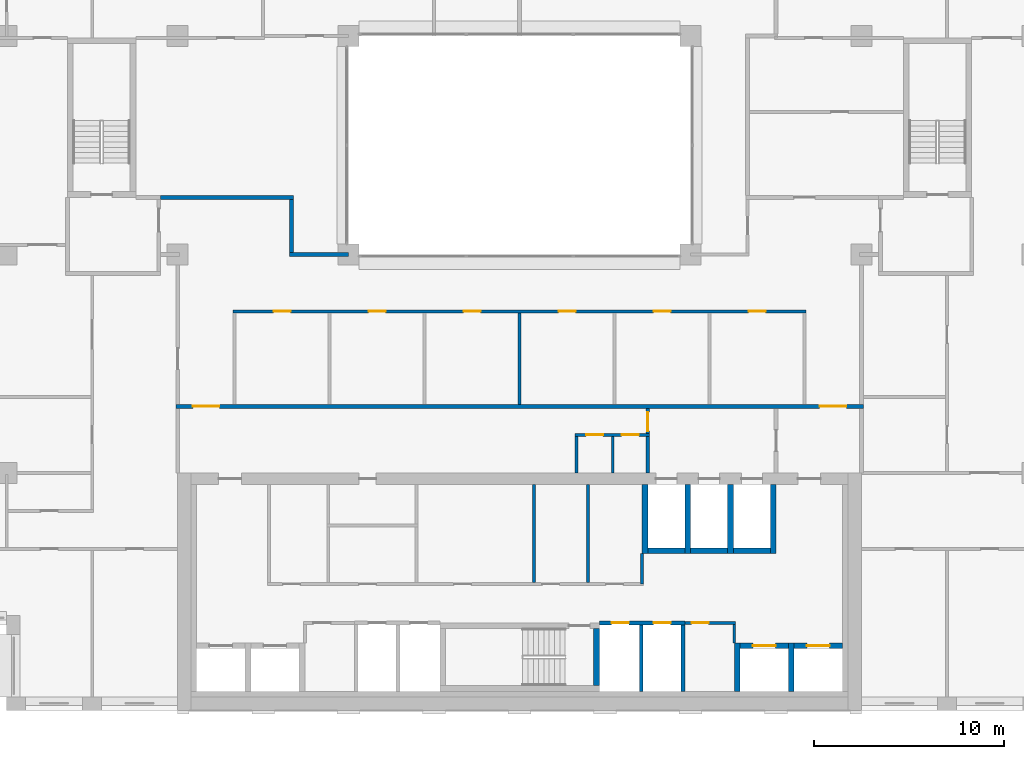
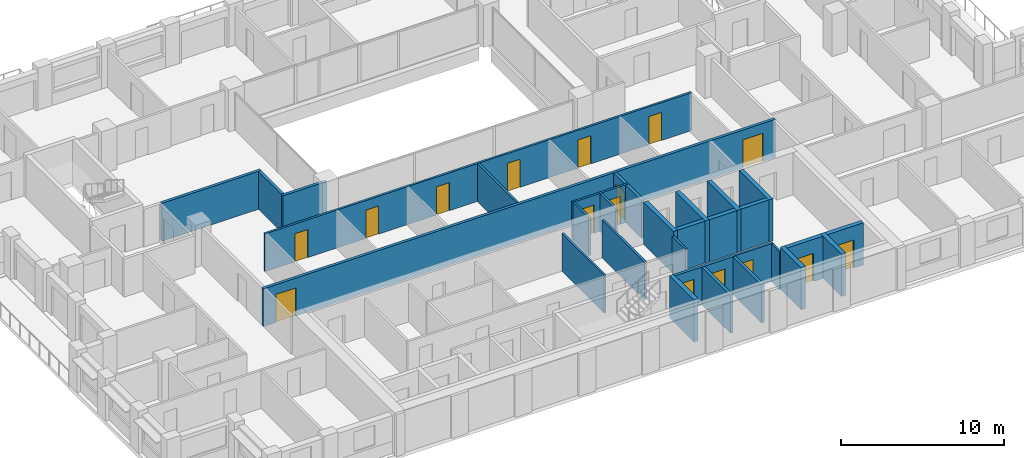
# One storey, part 10 of 16: 31 walls, 16 doors, 16 openings.
"""IFC4 building model written with IfcOpenShell, lengths in metres."""

from ifc_helpers import new_model, si_unit, direction, frame, frame_2d, origin, place, context, subcontext, project, spatial, rectangle, extrude, material, layer, layer_set, type_object, element, fill, save


model = new_model("IFC4")

# Units and contexts
model_context = context("Model", 3, precision=1e-05, world=origin(), true_north=direction((0.0, 1.0)))
body_context = subcontext(model_context, "Body", "Model", "MODEL_VIEW")
ifc_project = project(units=[si_unit("LENGTHUNIT", "METRE"), si_unit("AREAUNIT", "SQUARE_METRE"), si_unit("VOLUMEUNIT", "CUBIC_METRE"), si_unit("PLANEANGLEUNIT", "RADIAN"), si_unit("MASSUNIT", "GRAM", prefix="KILO")], contexts=[model_context])

# Site, building, storey
site_placement = place(None, origin())
site = spatial("IfcSite", under=ifc_project, at=site_placement, CompositionType="ELEMENT")
building_placement = place(site_placement, origin())
building = spatial("IfcBuilding", under=site, at=building_placement, Name="Brigalow Station Residences", CompositionType="ELEMENT")
storey_placement = place(building_placement, frame((0.0, 0.0, 166.5)))
storey = spatial("IfcBuildingStorey", under=building, at=storey_placement, Name="L48", CompositionType="ELEMENT", Elevation=166.5)

# Walls
ifc_material_1 = material(Name="Concrete C65", Category="concrete")
ifc_layer_1 = layer(ifc_material_1, 0.300048828125)
ifc_layer_set_1 = layer_set([ifc_layer_1], Name="CORE SHEAR WALL 300 C65")
wall_type_1 = type_object("IfcWallType", Name="CORE SHEAR WALL 300 C65", PredefinedType="SHEAR", material=ifc_layer_set_1)
wall_1_placement = place(storey_placement, frame((42.75, 8.39990234375, 0.0), z_axis=(0.0, 0.0, 1.0), x_axis=(1.0, 0.0, 0.0)))
element("IfcWall", 1, at=wall_1_placement, inside=storey, type_object=wall_type_1, Name="CORE WALL SH-FF1-S L48", PredefinedType="SHEAR", context=body_context, shape_type="SweptSolid", body=[
    extrude(rectangle(XDim=1.949951171875, YDim=0.300048828125, at=frame_2d((0.97509765625, 0.0))), origin(), (0.0, 0.0, 1.0), 3.14990234375),
])
wall_2_placement = place(storey_placement, frame((42.60009765625, 8.25, 0.0), z_axis=(0.0, 0.0, 1.0), x_axis=(0.0, 1.0, 0.0)))
element("IfcWall", 2, at=wall_2_placement, inside=storey, type_object=wall_type_1, Name="CORE WALL SH-FF1-W L48", PredefinedType="SHEAR", context=body_context, shape_type="SweptSolid", body=[
    extrude(rectangle(XDim=3.64990234375, YDim=0.300048828125, at=frame_2d((1.824951171875, 0.0))), origin(), (0.0, 0.0, 1.0), 3.14990234375),
])
wall_3_placement = place(storey_placement, frame((45.0, 8.39990234375, 0.0), z_axis=(0.0, 0.0, 1.0), x_axis=(1.0, 0.0, 0.0)))
element("IfcWall", 3, at=wall_3_placement, inside=storey, type_object=wall_type_1, Name="CORE WALL SH-FF2-S L48", PredefinedType="SHEAR", context=body_context, shape_type="SweptSolid", body=[
    extrude(rectangle(XDim=1.949951171875, YDim=0.300048828125, at=frame_2d((0.97509765625, 0.0))), origin(), (0.0, 0.0, 1.0), 3.14990234375),
])
wall_4_placement = place(storey_placement, frame((44.85009765625, 8.25, 0.0), z_axis=(0.0, 0.0, 1.0), x_axis=(0.0, 1.0, 0.0)))
element("IfcWall", 4, at=wall_4_placement, inside=storey, type_object=wall_type_1, Name="CORE WALL SH-FF2-W L48", PredefinedType="SHEAR", context=body_context, shape_type="SweptSolid", body=[
    extrude(rectangle(XDim=3.64990234375, YDim=0.300048828125, at=frame_2d((1.824951171875, 0.0))), origin(), (0.0, 0.0, 1.0), 3.14990234375),
])
wall_5_placement = place(storey_placement, frame((47.25, 8.39990234375, 0.0), z_axis=(0.0, 0.0, 1.0), x_axis=(1.0, 0.0, 0.0)))
element("IfcWall", 5, at=wall_5_placement, inside=storey, type_object=wall_type_1, Name="CORE WALL SH-SL1-S L48", PredefinedType="SHEAR", context=body_context, shape_type="SweptSolid", body=[
    extrude(rectangle(XDim=1.949951171875, YDim=0.300048828125, at=frame_2d((0.97509765625, 0.0))), origin(), (0.0, 0.0, 1.0), 3.14990234375),
])
for number, where, z_axis, x_axis, name in (
    (6, (47.10009765625, 8.25, 0.0), (0.0, 0.0, 1.0), (0.0, 1.0, 0.0), "CORE WALL SH-SL1-W L48"),
    (7, (49.35009765625, 8.25, 0.0), (0.0, 0.0, 1.0), (0.0, 1.0, 0.0), "CORE WALL SH-SL1-E L48"),
):
    element("IfcWall", number, at=place(storey_placement, frame(where, z_axis=z_axis, x_axis=x_axis)), inside=storey, type_object=wall_type_1, Name=name, PredefinedType="SHEAR", context=body_context, shape_type="SweptSolid", body=[
        extrude(rectangle(XDim=3.64990234375, YDim=0.300048828125, at=frame_2d((1.824951171875, 0.0))), origin(), (0.0, 0.0, 1.0), 3.14990234375),
    ])

# Wall, opening, door
wall_6_placement = place(storey_placement, frame((47.60009765625, 3.39990234375, 0.0), z_axis=(0.0, 0.0, 1.0), x_axis=(1.0, 0.0, 0.0)))
wall_6 = element("IfcWall", 8, at=wall_6_placement, inside=storey, type_object=wall_type_1, Name="CORE WALL SH-C3-N L48", PredefinedType="SHEAR", context=body_context, shape_type="SweptSolid", body=[
    extrude(rectangle(XDim=2.5498046875, YDim=0.300048828125, at=frame_2d((1.27490234375, 0.0))), origin(), (0.0, 0.0, 1.0), 3.14990234375),
])
opening_1_placement = place(wall_6_placement, frame((0.675048828125, 0.0, 0.0)))
opening_1 = element("IfcOpeningElement", 9, at=opening_1_placement, cuts=wall_6, Name="Opening LD-LB3", PredefinedType="OPENING", context=body_context, shape_type="SweptSolid", body=[
    extrude(rectangle(XDim=1.199951171875, YDim=2.10009765625, at=frame_2d((0.60009765625, 1.050048828125))), frame((0.0, 0.16015625, 0.0), z_axis=(0.0, -1.0, 0.0), x_axis=(1.0, 0.0, 0.0)), (0.0, 0.0, 1.0), 0.320068359375),
])
ifc_material_2 = material(Name="Stainless steel sliding door leaves", Category="steel")
door_type_1 = type_object("IfcDoorType", Name="LIFT LANDING DOOR 1200 x 2100", OperationType="DOUBLE_DOOR_SLIDING", PredefinedType="DOOR", material=ifc_material_2)
door_1_placement = place(opening_1_placement, origin())
door_1 = element("IfcDoor", 10, at=door_1_placement, inside=storey, type_object=door_type_1, Name="LANDING DOOR LB3", OperationType="DOUBLE_DOOR_SLIDING", OverallHeight=2.10009765625, OverallWidth=1.199951171875, PredefinedType="DOOR", context=body_context, shape_type="SweptSolid", body=[
    extrude(rectangle(XDim=1.199951171875, YDim=2.10009765625, at=frame_2d((0.60009765625, 1.050048828125))), frame((0.0, 0.02490234375, 0.0), z_axis=(0.0, -1.0, 0.0), x_axis=(1.0, 0.0, 0.0)), (0.0, 0.0, 1.0), 0.050048828125),
])
fill(opening_1, door_1)

# Wall
wall_7_placement = place(storey_placement, frame((47.449951171875, 1.0, 0.0), z_axis=(0.0, 0.0, 1.0), x_axis=(0.0, 1.0, 0.0)))
element("IfcWall", 11, at=wall_7_placement, inside=storey, type_object=wall_type_1, Name="CORE WALL SH-C3-W L48", PredefinedType="SHEAR", context=body_context, shape_type="SweptSolid", body=[
    extrude(rectangle(XDim=2.550048828125, YDim=0.300048828125, at=frame_2d((1.27490234375, 0.0))), origin(), (0.0, 0.0, 1.0), 3.14990234375),
])

# Wall, opening, door
wall_8_placement = place(storey_placement, frame((50.449951171875, 3.39990234375, 0.0), z_axis=(0.0, 0.0, 1.0), x_axis=(1.0, 0.0, 0.0)))
wall_8 = element("IfcWall", 12, at=wall_8_placement, inside=storey, type_object=wall_type_1, Name="CORE WALL SH-C4-N L48", PredefinedType="SHEAR", context=body_context, shape_type="SweptSolid", body=[
    extrude(rectangle(XDim=2.550048828125, YDim=0.300048828125, at=frame_2d((1.27490234375, 0.0))), origin(), (0.0, 0.0, 1.0), 3.14990234375),
])
opening_2_placement = place(wall_8_placement, frame((0.675048828125, 0.0, 0.0)))
opening_2 = element("IfcOpeningElement", 13, at=opening_2_placement, cuts=wall_8, Name="Opening LD-LB4", PredefinedType="OPENING", context=body_context, shape_type="SweptSolid", body=[
    extrude(rectangle(XDim=1.199951171875, YDim=2.10009765625, at=frame_2d((0.60009765625, 1.050048828125))), frame((0.0, 0.16015625, 0.0), z_axis=(0.0, -1.0, 0.0), x_axis=(1.0, 0.0, 0.0)), (0.0, 0.0, 1.0), 0.320068359375),
])
door_2_placement = place(opening_2_placement, origin())
door_2 = element("IfcDoor", 14, at=door_2_placement, inside=storey, type_object=door_type_1, Name="LANDING DOOR LB4", OperationType="DOUBLE_DOOR_SLIDING", OverallHeight=2.10009765625, OverallWidth=1.199951171875, PredefinedType="DOOR", context=body_context, shape_type="SweptSolid", body=[
    extrude(rectangle(XDim=1.199951171875, YDim=2.10009765625, at=frame_2d((0.60009765625, 1.050048828125))), frame((0.0, 0.02490234375, 0.0), z_axis=(0.0, -1.0, 0.0), x_axis=(1.0, 0.0, 0.0)), (0.0, 0.0, 1.0), 0.050048828125),
])
fill(opening_2, door_2)

# Walls
wall_9_placement = place(storey_placement, frame((50.300048828125, 1.0, 0.0), z_axis=(0.0, 0.0, 1.0), x_axis=(0.0, 1.0, 0.0)))
element("IfcWall", 15, at=wall_9_placement, inside=storey, type_object=wall_type_1, Name="CORE WALL SH-C4-W L48", PredefinedType="SHEAR", context=body_context, shape_type="SweptSolid", body=[
    extrude(rectangle(XDim=2.550048828125, YDim=0.300048828125, at=frame_2d((1.27490234375, 0.0))), origin(), (0.0, 0.0, 1.0), 3.14990234375),
])
wall_10_placement = place(storey_placement, frame((40.050048828125, 1.300048828125, 0.0), z_axis=(0.0, 0.0, 1.0), x_axis=(0.0, 1.0, 0.0)))
element("IfcWall", 16, at=wall_10_placement, inside=storey, type_object=wall_type_1, Name="CORE WALL ST-S2-E L48", PredefinedType="SHEAR", context=body_context, shape_type="SweptSolid", body=[
    extrude(rectangle(XDim=3.0, YDim=0.300048828125, at=frame_2d((1.5, 0.0))), origin(), (0.0, 0.0, 1.0), 3.14990234375),
])

# Wall, openings, doors
ifc_material_3 = material(Name="Concrete blockwork", Category="masonry")
ifc_layer_2 = layer(ifc_material_3, 0.199951171875)
ifc_layer_set_2 = layer_set([ifc_layer_2], Name="FIRE RATED CORE PARTITION 200")
wall_type_2 = type_object("IfcWallType", Name="FIRE RATED CORE PARTITION 200", PredefinedType="PARTITIONING", material=ifc_layer_set_2)
wall_11_placement = place(storey_placement, frame((40.199951171875, 4.60009765625, 0.0), z_axis=(0.0, 0.0, 1.0), x_axis=(1.0, 0.0, 0.0)))
wall_11 = element("IfcWall", 17, at=wall_11_placement, inside=storey, type_object=wall_type_2, Name="PW-5018", PredefinedType="PARTITIONING", context=body_context, shape_type="SweptSolid", body=[
    extrude(rectangle(XDim=4.5, YDim=0.199951171875, at=frame_2d((2.25, 0.0))), origin(), (0.0, 0.0, 1.0), 2.830078125),
])
opening_3_placement = place(wall_11_placement, frame((0.64990234375, 0.0, 0.0)))
opening_3 = element("IfcOpeningElement", 18, at=opening_3_placement, cuts=wall_11, Name="Opening D-5009", PredefinedType="OPENING", context=body_context, shape_type="SweptSolid", body=[
    extrude(rectangle(XDim=0.89990234375, YDim=2.10009765625, at=frame_2d((0.449951171875, 1.050048828125))), frame((0.0, 0.10986328125, 0.0), z_axis=(0.0, -1.0, 0.0), x_axis=(1.0, 0.0, 0.0)), (0.0, 0.0, 1.0), 0.219970703125),
])
opening_4_placement = place(wall_11_placement, frame((2.85009765625, 0.0, 0.0)))
opening_4 = element("IfcOpeningElement", 19, at=opening_4_placement, cuts=wall_11, Name="Opening D-5010", PredefinedType="OPENING", context=body_context, shape_type="SweptSolid", body=[
    extrude(rectangle(XDim=0.89990234375, YDim=2.10009765625, at=frame_2d((0.449951171875, 1.050048828125))), frame((0.0, 0.10986328125, 0.0), z_axis=(0.0, -1.0, 0.0), x_axis=(1.0, 0.0, 0.0)), (0.0, 0.0, 1.0), 0.219970703125),
])
ifc_material_4 = material(Name="Steel fire door leaf in steel frame", Category="steel")
door_type_2 = type_object("IfcDoorType", Name="RISER ACCESS DOOR 900 x 2100 FD120", OperationType="SINGLE_SWING_LEFT", PredefinedType="DOOR", material=ifc_material_4)
door_3_placement = place(opening_3_placement, frame((0.89990234375, 0.0, 0.0), z_axis=(0.0, 0.0, 1.0), x_axis=(-1.0, 0.0, 0.0)))
door_3 = element("IfcDoor", 20, at=door_3_placement, inside=storey, type_object=door_type_2, Name="D-5009", OperationType="SINGLE_SWING_LEFT", OverallHeight=2.10009765625, OverallWidth=0.89990234375, PredefinedType="DOOR", context=body_context, shape_type="SweptSolid", body=[
    extrude(rectangle(XDim=0.89990234375, YDim=2.10009765625, at=frame_2d((0.449951171875, 1.050048828125))), frame((0.0, 0.02490234375, 0.0), z_axis=(0.0, -1.0, 0.0), x_axis=(1.0, 0.0, 0.0)), (0.0, 0.0, 1.0), 0.050048828125),
])
fill(opening_3, door_3)
door_4_placement = place(opening_4_placement, frame((0.89990234375, 0.0, 0.0), z_axis=(0.0, 0.0, 1.0), x_axis=(-1.0, 0.0, 0.0)))
door_4 = element("IfcDoor", 21, at=door_4_placement, inside=storey, type_object=door_type_2, Name="D-5010", OperationType="SINGLE_SWING_LEFT", OverallHeight=2.10009765625, OverallWidth=0.89990234375, PredefinedType="DOOR", context=body_context, shape_type="SweptSolid", body=[
    extrude(rectangle(XDim=0.89990234375, YDim=2.10009765625, at=frame_2d((0.449951171875, 1.050048828125))), frame((0.0, 0.02490234375, 0.0), z_axis=(0.0, -1.0, 0.0), x_axis=(1.0, 0.0, 0.0)), (0.0, 0.0, 1.0), 0.050048828125),
])
fill(opening_4, door_4)

# Walls
for number, where, z_axis, x_axis, name in (
    (22, (42.39990234375, 1.0, 0.0), (0.0, 0.0, 1.0), (0.0, 1.0, 0.0), "PW-5007"),
    (23, (44.60009765625, 1.0, 0.0), (0.0, 0.0, 1.0), (0.0, 1.0, 0.0), "PW-5008"),
):
    element("IfcWall", number, at=place(storey_placement, frame(where, z_axis=z_axis, x_axis=x_axis)), inside=storey, type_object=wall_type_2, Name=name, PredefinedType="PARTITIONING", context=body_context, shape_type="SweptSolid", body=[
        extrude(rectangle(XDim=3.5, YDim=0.199951171875, at=frame_2d((1.75, 0.0))), origin(), (0.0, 0.0, 1.0), 2.830078125),
    ])
wall_12_placement = place(storey_placement, frame((42.75, 12.5, 0.0), z_axis=(0.0, 0.0, 1.0), x_axis=(0.0, 1.0, 0.0)))
element("IfcWall", 24, at=wall_12_placement, inside=storey, type_object=wall_type_2, Name="PW-5046", PredefinedType="PARTITIONING", context=body_context, shape_type="SweptSolid", body=[
    extrude(rectangle(XDim=1.925048828125, YDim=0.199951171875, at=frame_2d((0.96240234375, 0.0))), origin(), (0.0, 0.0, 1.0), 2.830078125),
])

# Wall, opening, door
wall_13_placement = place(storey_placement, frame((42.75, 14.574951171875, 0.0), z_axis=(0.0, 0.0, 1.0), x_axis=(0.0, 1.0, 0.0)))
wall_13 = element("IfcWall", 25, at=wall_13_placement, inside=storey, type_object=wall_type_2, Name="PW-5047", PredefinedType="PARTITIONING", context=body_context, shape_type="SweptSolid", body=[
    extrude(rectangle(XDim=1.324951171875, YDim=0.199951171875, at=frame_2d((0.66259765625, 0.0))), origin(), (0.0, 0.0, 1.0), 2.830078125),
])
opening_5_placement = place(wall_13_placement, frame((0.125, 0.0, 0.0)))
opening_5 = element("IfcOpeningElement", 26, at=opening_5_placement, cuts=wall_13, Name="Opening D-5013", PredefinedType="OPENING", context=body_context, shape_type="SweptSolid", body=[
    extrude(rectangle(XDim=1.0, YDim=2.10009765625, at=frame_2d((0.5, 1.050048828125))), frame((0.0, 0.10986328125, 0.0), z_axis=(0.0, -1.0, 0.0), x_axis=(1.0, 0.0, 0.0)), (0.0, 0.0, 1.0), 0.219970703125),
])
ifc_material_5 = material(Name="Steel fire door leaf in steel frame", Category="steel")
door_type_3 = type_object("IfcDoorType", Name="LOBBY DOOR 1000 x 2100 FD60S", OperationType="SINGLE_SWING_LEFT", PredefinedType="DOOR", material=ifc_material_5)
door_5_placement = place(opening_5_placement, origin())
door_5 = element("IfcDoor", 27, at=door_5_placement, inside=storey, type_object=door_type_3, Name="D-5013", OperationType="SINGLE_SWING_LEFT", OverallHeight=2.10009765625, OverallWidth=1.0, PredefinedType="DOOR", context=body_context, shape_type="SweptSolid", body=[
    extrude(rectangle(XDim=1.0, YDim=2.10009765625, at=frame_2d((0.5, 1.050048828125))), frame((0.0, 0.02490234375, 0.0), z_axis=(0.0, -1.0, 0.0), x_axis=(1.0, 0.0, 0.0)), (0.0, 0.0, 1.0), 0.050048828125),
])
fill(opening_5, door_5)

# Wall, openings, doors
ifc_material_6 = material(Name="Plasterboard on steel stud partition", Category="steel")
ifc_layer_3 = layer(ifc_material_6, 0.14990234375)
ifc_layer_set_3 = layer_set([ifc_layer_3], Name="FLAT PARTITION 150")
wall_type_3 = type_object("IfcWallType", Name="FLAT PARTITION 150", PredefinedType="PARTITIONING", material=ifc_layer_set_3)
wall_14_placement = place(storey_placement, frame((20.925048828125, 21.0, 0.0), z_axis=(0.0, 0.0, 1.0), x_axis=(1.0, 0.0, 0.0)))
wall_14 = element("IfcWall", 28, at=wall_14_placement, inside=storey, type_object=wall_type_3, Name="PW-3D05", PredefinedType="PARTITIONING", context=body_context, shape_type="SweptSolid", body=[
    extrude(rectangle(XDim=30.14990234375, YDim=0.14990234375, at=frame_2d((15.074951171875, 0.0))), origin(), (0.0, 0.0, 1.0), 2.830078125),
])
opening_6_placement = place(wall_14_placement, frame((2.125, 0.0, 0.0)))
opening_6 = element("IfcOpeningElement", 29, at=opening_6_placement, cuts=wall_14, Name="Opening D-3D37", PredefinedType="OPENING", context=body_context, shape_type="SweptSolid", body=[
    extrude(rectangle(XDim=0.89990234375, YDim=2.10009765625, at=frame_2d((0.449951171875, 1.050048828125))), frame((0.0, 0.0849609375, 0.0), z_axis=(0.0, -1.0, 0.0), x_axis=(1.0, 0.0, 0.0)), (0.0, 0.0, 1.0), 0.169921875),
])
opening_7_placement = place(wall_14_placement, frame((7.125, 0.0, 0.0)))
opening_7 = element("IfcOpeningElement", 30, at=opening_7_placement, cuts=wall_14, Name="Opening D-3D38", PredefinedType="OPENING", context=body_context, shape_type="SweptSolid", body=[
    extrude(rectangle(XDim=0.89990234375, YDim=2.10009765625, at=frame_2d((0.449951171875, 1.050048828125))), frame((0.0, 0.0849609375, 0.0), z_axis=(0.0, -1.0, 0.0), x_axis=(1.0, 0.0, 0.0)), (0.0, 0.0, 1.0), 0.169921875),
])
opening_8_placement = place(wall_14_placement, frame((12.125, 0.0, 0.0)))
opening_8 = element("IfcOpeningElement", 31, at=opening_8_placement, cuts=wall_14, Name="Opening D-3D39", PredefinedType="OPENING", context=body_context, shape_type="SweptSolid", body=[
    extrude(rectangle(XDim=0.89990234375, YDim=2.10009765625, at=frame_2d((0.449951171875, 1.050048828125))), frame((0.0, 0.0849609375, 0.0), z_axis=(0.0, -1.0, 0.0), x_axis=(1.0, 0.0, 0.0)), (0.0, 0.0, 1.0), 0.169921875),
])
opening_9_placement = place(wall_14_placement, frame((17.125, 0.0, 0.0)))
opening_9 = element("IfcOpeningElement", 32, at=opening_9_placement, cuts=wall_14, Name="Opening D-3D40", PredefinedType="OPENING", context=body_context, shape_type="SweptSolid", body=[
    extrude(rectangle(XDim=0.89990234375, YDim=2.10009765625, at=frame_2d((0.449951171875, 1.050048828125))), frame((0.0, 0.0849609375, 0.0), z_axis=(0.0, -1.0, 0.0), x_axis=(1.0, 0.0, 0.0)), (0.0, 0.0, 1.0), 0.169921875),
])
opening_10_placement = place(wall_14_placement, frame((22.125, 0.0, 0.0)))
opening_10 = element("IfcOpeningElement", 33, at=opening_10_placement, cuts=wall_14, Name="Opening D-3D41", PredefinedType="OPENING", context=body_context, shape_type="SweptSolid", body=[
    extrude(rectangle(XDim=0.89990234375, YDim=2.10009765625, at=frame_2d((0.449951171875, 1.050048828125))), frame((0.0, 0.0849609375, 0.0), z_axis=(0.0, -1.0, 0.0), x_axis=(1.0, 0.0, 0.0)), (0.0, 0.0, 1.0), 0.169921875),
])
opening_11_placement = place(wall_14_placement, frame((27.125, 0.0, 0.0)))
opening_11 = element("IfcOpeningElement", 34, at=opening_11_placement, cuts=wall_14, Name="Opening D-3D42", PredefinedType="OPENING", context=body_context, shape_type="SweptSolid", body=[
    extrude(rectangle(XDim=0.89990234375, YDim=2.10009765625, at=frame_2d((0.449951171875, 1.050048828125))), frame((0.0, 0.0849609375, 0.0), z_axis=(0.0, -1.0, 0.0), x_axis=(1.0, 0.0, 0.0)), (0.0, 0.0, 1.0), 0.169921875),
])
ifc_material_7 = material(Name="Solid-core timber door leaf", Category="wood")
door_type_4 = type_object("IfcDoorType", Name="INTERNAL DOOR 900 x 2100", OperationType="SINGLE_SWING_LEFT", PredefinedType="DOOR", material=ifc_material_7)
door_6_placement = place(opening_6_placement, frame((0.89990234375, 0.0, 0.0), z_axis=(0.0, 0.0, 1.0), x_axis=(-1.0, 0.0, 0.0)))
door_6 = element("IfcDoor", 35, at=door_6_placement, inside=storey, type_object=door_type_4, Name="D-3D37", OperationType="SINGLE_SWING_RIGHT", OverallHeight=2.10009765625, OverallWidth=0.89990234375, PredefinedType="DOOR", context=body_context, shape_type="SweptSolid", body=[
    extrude(rectangle(XDim=0.89990234375, YDim=2.10009765625, at=frame_2d((0.449951171875, 1.050048828125))), frame((0.0, 0.02490234375, 0.0), z_axis=(0.0, -1.0, 0.0), x_axis=(1.0, 0.0, 0.0)), (0.0, 0.0, 1.0), 0.050048828125),
])
fill(opening_6, door_6)
door_7_placement = place(opening_7_placement, frame((0.89990234375, 0.0, 0.0), z_axis=(0.0, 0.0, 1.0), x_axis=(-1.0, 0.0, 0.0)))
door_7 = element("IfcDoor", 36, at=door_7_placement, inside=storey, type_object=door_type_4, Name="D-3D38", OperationType="SINGLE_SWING_LEFT", OverallHeight=2.10009765625, OverallWidth=0.89990234375, PredefinedType="DOOR", context=body_context, shape_type="SweptSolid", body=[
    extrude(rectangle(XDim=0.89990234375, YDim=2.10009765625, at=frame_2d((0.449951171875, 1.050048828125))), frame((0.0, 0.02490234375, 0.0), z_axis=(0.0, -1.0, 0.0), x_axis=(1.0, 0.0, 0.0)), (0.0, 0.0, 1.0), 0.050048828125),
])
fill(opening_7, door_7)
door_8_placement = place(opening_8_placement, frame((0.89990234375, 0.0, 0.0), z_axis=(0.0, 0.0, 1.0), x_axis=(-1.0, 0.0, 0.0)))
door_8 = element("IfcDoor", 37, at=door_8_placement, inside=storey, type_object=door_type_4, Name="D-3D39", OperationType="SINGLE_SWING_LEFT", OverallHeight=2.10009765625, OverallWidth=0.89990234375, PredefinedType="DOOR", context=body_context, shape_type="SweptSolid", body=[
    extrude(rectangle(XDim=0.89990234375, YDim=2.10009765625, at=frame_2d((0.449951171875, 1.050048828125))), frame((0.0, 0.02490234375, 0.0), z_axis=(0.0, -1.0, 0.0), x_axis=(1.0, 0.0, 0.0)), (0.0, 0.0, 1.0), 0.050048828125),
])
fill(opening_8, door_8)
door_9_placement = place(opening_9_placement, frame((0.89990234375, 0.0, 0.0), z_axis=(0.0, 0.0, 1.0), x_axis=(-1.0, 0.0, 0.0)))
door_9 = element("IfcDoor", 38, at=door_9_placement, inside=storey, type_object=door_type_4, Name="D-3D40", OperationType="SINGLE_SWING_LEFT", OverallHeight=2.10009765625, OverallWidth=0.89990234375, PredefinedType="DOOR", context=body_context, shape_type="SweptSolid", body=[
    extrude(rectangle(XDim=0.89990234375, YDim=2.10009765625, at=frame_2d((0.449951171875, 1.050048828125))), frame((0.0, 0.02490234375, 0.0), z_axis=(0.0, -1.0, 0.0), x_axis=(1.0, 0.0, 0.0)), (0.0, 0.0, 1.0), 0.050048828125),
])
fill(opening_9, door_9)
door_10_placement = place(opening_10_placement, frame((0.89990234375, 0.0, 0.0), z_axis=(0.0, 0.0, 1.0), x_axis=(-1.0, 0.0, 0.0)))
door_10 = element("IfcDoor", 39, at=door_10_placement, inside=storey, type_object=door_type_4, Name="D-3D41", OperationType="SINGLE_SWING_RIGHT", OverallHeight=2.10009765625, OverallWidth=0.89990234375, PredefinedType="DOOR", context=body_context, shape_type="SweptSolid", body=[
    extrude(rectangle(XDim=0.89990234375, YDim=2.10009765625, at=frame_2d((0.449951171875, 1.050048828125))), frame((0.0, 0.02490234375, 0.0), z_axis=(0.0, -1.0, 0.0), x_axis=(1.0, 0.0, 0.0)), (0.0, 0.0, 1.0), 0.050048828125),
])
fill(opening_10, door_10)
door_11_placement = place(opening_11_placement, frame((0.89990234375, 0.0, 0.0), z_axis=(0.0, 0.0, 1.0), x_axis=(-1.0, 0.0, 0.0)))
door_11 = element("IfcDoor", 40, at=door_11_placement, inside=storey, type_object=door_type_4, Name="D-3D42", OperationType="SINGLE_SWING_LEFT", OverallHeight=2.10009765625, OverallWidth=0.89990234375, PredefinedType="DOOR", context=body_context, shape_type="SweptSolid", body=[
    extrude(rectangle(XDim=0.89990234375, YDim=2.10009765625, at=frame_2d((0.449951171875, 1.050048828125))), frame((0.0, 0.02490234375, 0.0), z_axis=(0.0, -1.0, 0.0), x_axis=(1.0, 0.0, 0.0)), (0.0, 0.0, 1.0), 0.050048828125),
])
fill(opening_11, door_11)

# Walls
wall_15_placement = place(storey_placement, frame((36.0, 16.10009765625, 0.0), z_axis=(0.0, 0.0, 1.0), x_axis=(0.0, 1.0, 0.0)))
element("IfcWall", 41, at=wall_15_placement, inside=storey, type_object=wall_type_3, Name="PW-3D42", PredefinedType="PARTITIONING", context=body_context, shape_type="SweptSolid", body=[
    extrude(rectangle(XDim=4.824951171875, YDim=0.14990234375, at=frame_2d((2.41259765625, 0.0))), origin(), (0.0, 0.0, 1.0), 2.830078125),
])
ifc_material_8 = material(Name="Plasterboard on steel stud partition", Category="steel")
ifc_layer_4 = layer(ifc_material_8, 0.199951171875)
ifc_layer_set_4 = layer_set([ifc_layer_4], Name="PARTY AND CORRIDOR WALL 200")
wall_type_4 = type_object("IfcWallType", Name="PARTY AND CORRIDOR WALL 200", PredefinedType="PARTITIONING", material=ifc_layer_set_4)
wall_16_placement = place(storey_placement, frame((23.89990234375, 24.0, 0.0), z_axis=(0.0, 0.0, 1.0), x_axis=(1.0, 0.0, 0.0)))
element("IfcWall", 42, at=wall_16_placement, inside=storey, type_object=wall_type_4, Name="PW-3D03", PredefinedType="PARTITIONING", context=body_context, shape_type="SweptSolid", body=[
    extrude(rectangle(XDim=3.10009765625, YDim=0.199951171875, at=frame_2d((1.550048828125, 0.0))), origin(), (0.0, 0.0, 1.0), 2.830078125),
])
wall_17_placement = place(storey_placement, frame((17.10009765625, 27.0, 0.0), z_axis=(0.0, 0.0, 1.0), x_axis=(1.0, 0.0, 0.0)))
element("IfcWall", 43, at=wall_17_placement, inside=storey, type_object=wall_type_4, Name="PW-3D06", PredefinedType="PARTITIONING", context=body_context, shape_type="SweptSolid", body=[
    extrude(rectangle(XDim=7.0, YDim=0.199951171875, at=frame_2d((3.5, 0.0))), origin(), (0.0, 0.0, 1.0), 2.830078125),
])

# Wall, openings, doors
wall_18_placement = place(storey_placement, frame((17.89990234375, 16.0, 0.0), z_axis=(0.0, 0.0, 1.0), x_axis=(1.0, 0.0, 0.0)))
wall_18 = element("IfcWall", 44, at=wall_18_placement, inside=storey, type_object=wall_type_4, Name="PW-3D27", PredefinedType="PARTITIONING", context=body_context, shape_type="SweptSolid", body=[
    extrude(rectangle(XDim=36.2001953125, YDim=0.199951171875, at=frame_2d((18.10009765625, 0.0))), origin(), (0.0, 0.0, 1.0), 2.830078125),
])
opening_12_placement = place(wall_18_placement, frame((0.89990234375, 0.0, 0.0)))
opening_12 = element("IfcOpeningElement", 45, at=opening_12_placement, cuts=wall_18, Name="Opening D-3D01", PredefinedType="OPENING", context=body_context, shape_type="SweptSolid", body=[
    extrude(rectangle(XDim=1.39990234375, YDim=2.10009765625, at=frame_2d((0.699951171875, 1.050048828125))), frame((0.0, 0.10986328125, 0.0), z_axis=(0.0, -1.0, 0.0), x_axis=(1.0, 0.0, 0.0)), (0.0, 0.0, 1.0), 0.219970703125),
])
opening_13_placement = place(wall_18_placement, frame((33.89990234375, 0.0, 0.0)))
opening_13 = element("IfcOpeningElement", 46, at=opening_13_placement, cuts=wall_18, Name="Opening D-3D02", PredefinedType="OPENING", context=body_context, shape_type="SweptSolid", body=[
    extrude(rectangle(XDim=1.39990234375, YDim=2.10009765625, at=frame_2d((0.699951171875, 1.050048828125))), frame((0.0, 0.10986328125, 0.0), z_axis=(0.0, -1.0, 0.0), x_axis=(1.0, 0.0, 0.0)), (0.0, 0.0, 1.0), 0.219970703125),
])
ifc_material_9 = material(Name="Solid-core timber door leaf", Category="wood")
door_type_5 = type_object("IfcDoorType", Name="CORRIDOR FIRE DOOR 1400 x 2100 FRL -/60/30", OperationType="DOUBLE_DOOR_SINGLE_SWING", PredefinedType="DOOR", material=ifc_material_9)
door_12_placement = place(opening_12_placement, frame((1.39990234375, 0.0, 0.0), z_axis=(0.0, 0.0, 1.0), x_axis=(-1.0, 0.0, 0.0)))
door_12 = element("IfcDoor", 47, at=door_12_placement, inside=storey, type_object=door_type_5, Name="D-3D01", OperationType="DOUBLE_DOOR_SINGLE_SWING", OverallHeight=2.10009765625, OverallWidth=1.39990234375, PredefinedType="DOOR", context=body_context, shape_type="SweptSolid", body=[
    extrude(rectangle(XDim=1.39990234375, YDim=2.10009765625, at=frame_2d((0.699951171875, 1.050048828125))), frame((0.0, 0.02490234375, 0.0), z_axis=(0.0, -1.0, 0.0), x_axis=(1.0, 0.0, 0.0)), (0.0, 0.0, 1.0), 0.050048828125),
])
fill(opening_12, door_12)
door_13_placement = place(opening_13_placement, frame((1.39990234375, 0.0, 0.0), z_axis=(0.0, 0.0, 1.0), x_axis=(-1.0, 0.0, 0.0)))
door_13 = element("IfcDoor", 48, at=door_13_placement, inside=storey, type_object=door_type_5, Name="D-3D02", OperationType="DOUBLE_DOOR_SINGLE_SWING", OverallHeight=2.10009765625, OverallWidth=1.39990234375, PredefinedType="DOOR", context=body_context, shape_type="SweptSolid", body=[
    extrude(rectangle(XDim=1.39990234375, YDim=2.10009765625, at=frame_2d((0.699951171875, 1.050048828125))), frame((0.0, 0.02490234375, 0.0), z_axis=(0.0, -1.0, 0.0), x_axis=(1.0, 0.0, 0.0)), (0.0, 0.0, 1.0), 0.050048828125),
])
fill(opening_13, door_13)

# Wall
wall_19_placement = place(storey_placement, frame((24.0, 24.10009765625, 0.0), z_axis=(0.0, 0.0, 1.0), x_axis=(0.0, 1.0, 0.0)))
element("IfcWall", 49, at=wall_19_placement, inside=storey, type_object=wall_type_4, Name="PW-3D32", PredefinedType="PARTITIONING", context=body_context, shape_type="SweptSolid", body=[
    extrude(rectangle(XDim=2.7998046875, YDim=0.199951171875, at=frame_2d((1.39990234375, 0.0))), origin(), (0.0, 0.0, 1.0), 2.830078125),
])

# Wall, opening, door
ifc_material_10 = material(Name="Plasterboard on steel studs", Category="steel")
ifc_layer_5 = layer(ifc_material_10, 0.14990234375)
ifc_layer_set_5 = layer_set([ifc_layer_5], Name="SERVICE ROOM PARTITION 150")
wall_type_5 = type_object("IfcWallType", Name="SERVICE ROOM PARTITION 150", PredefinedType="PARTITIONING", material=ifc_layer_set_5)
wall_20_placement = place(storey_placement, frame((44.699951171875, 4.60009765625, 0.0), z_axis=(0.0, 0.0, 1.0), x_axis=(1.0, 0.0, 0.0)))
wall_20 = element("IfcWall", 50, at=wall_20_placement, inside=storey, type_object=wall_type_5, Name="PW-5156", PredefinedType="PARTITIONING", context=body_context, shape_type="SweptSolid", body=[
    extrude(rectangle(XDim=2.675048828125, YDim=0.14990234375, at=frame_2d((1.33740234375, 0.0))), origin(), (0.0, 0.0, 1.0), 2.830078125),
])
opening_14_placement = place(wall_20_placement, frame((0.35009765625, 0.0, 0.0)))
opening_14 = element("IfcOpeningElement", 51, at=opening_14_placement, cuts=wall_20, Name="Opening D-5026", PredefinedType="OPENING", context=body_context, shape_type="SweptSolid", body=[
    extrude(rectangle(XDim=0.89990234375, YDim=2.10009765625, at=frame_2d((0.449951171875, 1.050048828125))), frame((0.0, 0.0849609375, 0.0), z_axis=(0.0, -1.0, 0.0), x_axis=(1.0, 0.0, 0.0)), (0.0, 0.0, 1.0), 0.169921875),
])
ifc_material_11 = material(Name="Steel door leaf in steel frame", Category="steel")
door_type_6 = type_object("IfcDoorType", Name="SERVICE ROOM DOOR 900 x 2100 FD60", OperationType="SINGLE_SWING_LEFT", PredefinedType="DOOR", material=ifc_material_11)
door_14_placement = place(opening_14_placement, frame((0.89990234375, 0.0, 0.0), z_axis=(0.0, 0.0, 1.0), x_axis=(-1.0, 0.0, 0.0)))
door_14 = element("IfcDoor", 52, at=door_14_placement, inside=storey, type_object=door_type_6, Name="D-5026", OperationType="SINGLE_SWING_RIGHT", OverallHeight=2.10009765625, OverallWidth=0.89990234375, PredefinedType="DOOR", context=body_context, shape_type="SweptSolid", body=[
    extrude(rectangle(XDim=0.89990234375, YDim=2.10009765625, at=frame_2d((0.449951171875, 1.050048828125))), frame((0.0, 0.02490234375, 0.0), z_axis=(0.0, -1.0, 0.0), x_axis=(1.0, 0.0, 0.0)), (0.0, 0.0, 1.0), 0.050048828125),
])
fill(opening_14, door_14)

# Wall, openings, doors
wall_21_placement = place(storey_placement, frame((38.925048828125, 14.5, 0.0), z_axis=(0.0, 0.0, 1.0), x_axis=(1.0, 0.0, 0.0)))
wall_21 = element("IfcWall", 53, at=wall_21_placement, inside=storey, type_object=wall_type_5, Name="PW-5129", PredefinedType="PARTITIONING", context=body_context, shape_type="SweptSolid", body=[
    extrude(rectangle(XDim=3.925048828125, YDim=0.14990234375, at=frame_2d((1.96240234375, 0.0))), origin(), (0.0, 0.0, 1.0), 2.830078125),
])
opening_15_placement = place(wall_21_placement, frame((0.574951171875, 0.0, 0.0)))
opening_15 = element("IfcOpeningElement", 54, at=opening_15_placement, cuts=wall_21, Name="Opening D-5077", PredefinedType="OPENING", context=body_context, shape_type="SweptSolid", body=[
    extrude(rectangle(XDim=0.89990234375, YDim=2.10009765625, at=frame_2d((0.449951171875, 1.050048828125))), frame((0.0, 0.0849609375, 0.0), z_axis=(0.0, -1.0, 0.0), x_axis=(1.0, 0.0, 0.0)), (0.0, 0.0, 1.0), 0.169921875),
])
opening_16_placement = place(wall_21_placement, frame((2.449951171875, 0.0, 0.0)))
opening_16 = element("IfcOpeningElement", 55, at=opening_16_placement, cuts=wall_21, Name="Opening D-5078", PredefinedType="OPENING", context=body_context, shape_type="SweptSolid", body=[
    extrude(rectangle(XDim=0.89990234375, YDim=2.10009765625, at=frame_2d((0.449951171875, 1.050048828125))), frame((0.0, 0.0849609375, 0.0), z_axis=(0.0, -1.0, 0.0), x_axis=(1.0, 0.0, 0.0)), (0.0, 0.0, 1.0), 0.169921875),
])
door_15_placement = place(opening_15_placement, frame((0.89990234375, 0.0, 0.0), z_axis=(0.0, 0.0, 1.0), x_axis=(-1.0, 0.0, 0.0)))
door_15 = element("IfcDoor", 56, at=door_15_placement, inside=storey, type_object=door_type_6, Name="D-5077", OperationType="SINGLE_SWING_RIGHT", OverallHeight=2.10009765625, OverallWidth=0.89990234375, PredefinedType="DOOR", context=body_context, shape_type="SweptSolid", body=[
    extrude(rectangle(XDim=0.89990234375, YDim=2.10009765625, at=frame_2d((0.449951171875, 1.050048828125))), frame((0.0, 0.02490234375, 0.0), z_axis=(0.0, -1.0, 0.0), x_axis=(1.0, 0.0, 0.0)), (0.0, 0.0, 1.0), 0.050048828125),
])
fill(opening_15, door_15)
door_16_placement = place(opening_16_placement, frame((0.89990234375, 0.0, 0.0), z_axis=(0.0, 0.0, 1.0), x_axis=(-1.0, 0.0, 0.0)))
door_16 = element("IfcDoor", 57, at=door_16_placement, inside=storey, type_object=door_type_6, Name="D-5078", OperationType="SINGLE_SWING_LEFT", OverallHeight=2.10009765625, OverallWidth=0.89990234375, PredefinedType="DOOR", context=body_context, shape_type="SweptSolid", body=[
    extrude(rectangle(XDim=0.89990234375, YDim=2.10009765625, at=frame_2d((0.449951171875, 1.050048828125))), frame((0.0, 0.02490234375, 0.0), z_axis=(0.0, -1.0, 0.0), x_axis=(1.0, 0.0, 0.0)), (0.0, 0.0, 1.0), 0.050048828125),
])
fill(opening_16, door_16)

# Walls
wall_22_placement = place(storey_placement, frame((47.300048828125, 3.550048828125, 0.0), z_axis=(0.0, 0.0, 1.0), x_axis=(0.0, 1.0, 0.0)))
element("IfcWall", 58, at=wall_22_placement, inside=storey, type_object=wall_type_5, Name="PW-5158", PredefinedType="PARTITIONING", context=body_context, shape_type="SweptSolid", body=[
    extrude(rectangle(XDim=0.974853515625, YDim=0.14990234375, at=frame_2d((0.4873046875, 0.0))), origin(), (0.0, 0.0, 1.0), 2.830078125),
])
wall_23_placement = place(storey_placement, frame((42.449951171875, 6.64990234375, 0.0), z_axis=(0.0, 0.0, 1.0), x_axis=(0.0, 1.0, 0.0)))
element("IfcWall", 59, at=wall_23_placement, inside=storey, type_object=wall_type_5, Name="PW-5029", PredefinedType="PARTITIONING", context=body_context, shape_type="SweptSolid", body=[
    extrude(rectangle(XDim=1.60009765625, YDim=0.14990234375, at=frame_2d((0.800048828125, 0.0))), origin(), (0.0, 0.0, 1.0), 2.830078125),
])
for number, where, z_axis, x_axis, name in (
    (60, (36.75, 6.72509765625, 0.0), (0.0, 0.0, 1.0), (0.0, 1.0, 0.0), "PW-5227"),
    (61, (39.60009765625, 6.72509765625, 0.0), (0.0, 0.0, 1.0), (0.0, 1.0, 0.0), "PW-5201"),
):
    element("IfcWall", number, at=place(storey_placement, frame(where, z_axis=z_axis, x_axis=x_axis)), inside=storey, type_object=wall_type_5, Name=name, PredefinedType="PARTITIONING", context=body_context, shape_type="SweptSolid", body=[
        extrude(rectangle(XDim=5.1748046875, YDim=0.14990234375, at=frame_2d((2.58740234375, 0.0))), origin(), (0.0, 0.0, 1.0), 2.830078125),
    ])
for number, where, z_axis, x_axis, name in (
    (62, (39.0, 12.5, 0.0), (0.0, 0.0, 1.0), (0.0, 1.0, 0.0), "PW-5136"),
    (63, (40.89990234375, 12.5, 0.0), (0.0, 0.0, 1.0), (0.0, 1.0, 0.0), "PW-5137"),
):
    element("IfcWall", number, at=place(storey_placement, frame(where, z_axis=z_axis, x_axis=x_axis)), inside=storey, type_object=wall_type_5, Name=name, PredefinedType="PARTITIONING", context=body_context, shape_type="SweptSolid", body=[
        extrude(rectangle(XDim=1.925048828125, YDim=0.14990234375, at=frame_2d((0.96240234375, 0.0))), origin(), (0.0, 0.0, 1.0), 2.830078125),
    ])

save(model, "model.ifc")
